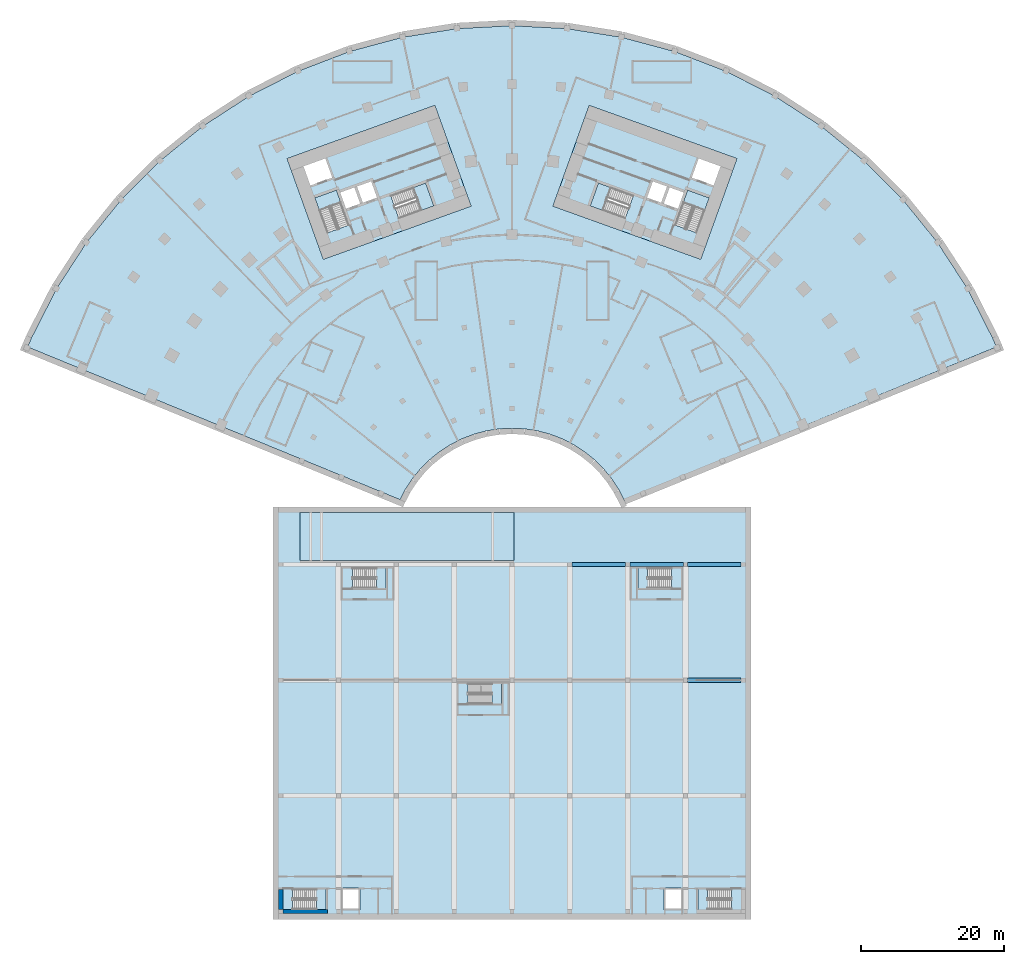
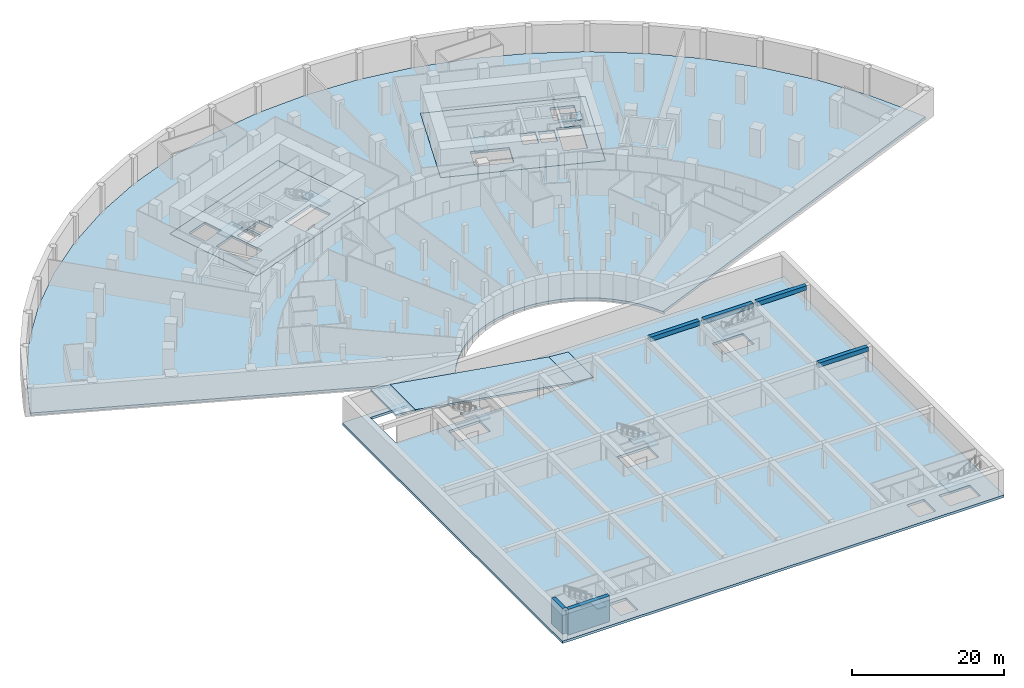
# One storey, part 2 of 21: 16 slabs, 4 beams, 2 walls, 9 elements without a shape of their own.
"""IFC4 building model written with IfcOpenShell, lengths in metres."""

from ifc_helpers import new_model, si_unit, direction, frame, frame_2d, origin, origin_2d, place, context, subcontext, project, spatial, polyline, rectangle, outline, extrude, material, layer, layer_set, material_profile, profile_set, type_object, element, aggregate, save


model = new_model("IFC4")

# Units and contexts
model_context = context("Model", 3, precision=1e-05, world=origin(), true_north=direction((0.0, 1.0)))
body_context = subcontext(model_context, "Body", "Model", "MODEL_VIEW")
ifc_project = project(units=[si_unit("LENGTHUNIT", "METRE"), si_unit("AREAUNIT", "SQUARE_METRE"), si_unit("VOLUMEUNIT", "CUBIC_METRE"), si_unit("PLANEANGLEUNIT", "RADIAN"), si_unit("MASSUNIT", "GRAM", prefix="KILO")], contexts=[model_context])

# Site, building, storey
site_placement = place(None, origin())
site = spatial("IfcSite", under=ifc_project, at=site_placement, CompositionType="ELEMENT")
building_placement = place(site_placement, origin())
building = spatial("IfcBuilding", under=site, at=building_placement, Name="Stone Belt Terrace Tower", CompositionType="ELEMENT")
storey_placement = place(building_placement, frame((0.0, 0.0, -9.0)))
storey = spatial("IfcBuildingStorey", under=building, at=storey_placement, Name="B2", CompositionType="ELEMENT", Elevation=-9.0)

# Beams
ifc_material_1 = material(Name="Concrete B40", Category="concrete")
ifc_material_profile = material_profile(ifc_material_1, rectangle(XDim=0.60009765625, YDim=0.699951171875, at=origin_2d()), Name="Car park tie beam 600 x 700")
ifc_profile_set = profile_set([ifc_material_profile], Name="Concrete B40")
beam_type = type_object("IfcBeamType", Name="Car park tie beam 600 x 700", PredefinedType="BEAM", material=ifc_profile_set)
for number, where, z_axis, x_axis, name in (
    (1, (24.60009765625, -18.0, 3.75), (1.0, 0.0, 0.0), (0.0, 1.0, 0.0), "Car park tie beam 8E-9"),
    (2, (8.39990234375, -1.800048828125, 3.75), (1.0, 0.0, 0.0), (0.0, 1.0, 0.0), "Car park tie beam 6G-7"),
    (3, (16.5, -1.800048828125, 3.75), (1.0, 0.0, 0.0), (0.0, 1.0, 0.0), "Car park tie beam 7G-8"),
    (4, (24.60009765625, -1.800048828125, 3.75), (1.0, 0.0, 0.0), (0.0, 1.0, 0.0), "Car park tie beam 8G-9"),
):
    element("IfcBeam", number, at=place(storey_placement, frame(where, z_axis=z_axis, x_axis=x_axis)), inside=storey, type_object=beam_type, Name=name, PredefinedType="BEAM", context=body_context, shape_type="SweptSolid", body=[
        extrude(rectangle(XDim=0.60009765625, YDim=0.699951171875, at=origin_2d()), origin(), (0.0, 0.0, 1.0), 7.5),
    ])

# Slabs
ifc_layer_1 = layer(ifc_material_1, 0.39990234375)
ifc_layer_set_1 = layer_set([ifc_layer_1], Name="Car park floor slab 400")
slab_type_1 = type_object("IfcSlabType", Name="Car park floor slab 400", PredefinedType="FLOOR", material=ifc_layer_set_1)
slab_1_placement = place(storey_placement, frame((0.0, 0.0, -0.39990234375)))
element("IfcSlab", 5, at=slab_1_placement, inside=storey, type_object=slab_type_1, Name="Car park floor B2", PredefinedType="FLOOR", context=body_context, shape_type="SweptSolid", body=[
    extrude(outline(polyline([(-33.5, -51.5), (33.5, -51.5), (33.5, 6.300048828125), (-33.5, 6.300048828125), (-33.5, -51.5)]), holes=[polyline([(0.300048828125, -1.199951171875), (0.300048828125, 5.5), (-29.699951171875, 5.5), (-29.699951171875, -1.199951171875), (0.300048828125, -1.199951171875)]), polyline([(-30.7470703125, -47.302978515625), (-30.7470703125, -50.096923828125), (-26.04296875, -50.096923828125), (-26.04296875, -47.302978515625), (-30.7470703125, -47.302978515625)]), polyline([(26.04296875, -50.096923828125), (30.7470703125, -50.096923828125), (30.7470703125, -47.302978515625), (26.04296875, -47.302978515625), (26.04296875, -50.096923828125)]), polyline([(-17.64306640625, -5.096923828125), (-17.64306640625, -2.302978515625), (-22.346923828125, -2.302978515625), (-22.346923828125, -5.096923828125), (-17.64306640625, -5.096923828125)]), polyline([(22.346923828125, -2.302978515625), (17.64306640625, -2.302978515625), (17.64306640625, -5.096923828125), (22.346923828125, -5.096923828125), (22.346923828125, -2.302978515625)]), polyline([(-6.14697265625, -18.5029296875), (-6.14697265625, -21.297119140625), (-1.443115234375, -21.297119140625), (-1.443115234375, -18.5029296875), (-6.14697265625, -18.5029296875)]), polyline([(-23.89990234375, -47.10009765625), (-23.89990234375, -50.199951171875), (-21.300048828125, -50.199951171875), (-21.300048828125, -47.10009765625), (-23.89990234375, -47.10009765625)]), polyline([(23.89990234375, -47.10009765625), (21.300048828125, -47.10009765625), (21.300048828125, -50.199951171875), (23.89990234375, -50.199951171875), (23.89990234375, -47.10009765625)])]), origin(), (0.0, 0.0, 1.0), 0.39990234375),
])
ifc_layer_2 = layer(ifc_material_1, 0.300048828125)
ifc_layer_set_2 = layer_set([ifc_layer_2], Name="Car park ramp slab 300 B40")
slab_type_2 = type_object("IfcSlabType", Name="Car park ramp slab 300 B40", PredefinedType="FLOOR", material=ifc_layer_set_2)
slab_2_placement = place(storey_placement, frame((-29.699951171875, -1.199951171875, 4.199951171875), z_axis=(0.0, -1.0, 0.0), x_axis=(0.996545758245, 0.0, -0.083045479854)))
element("IfcSlab", 6, at=slab_2_placement, inside=storey, type_object=slab_type_2, Name="Car park ramp R1 B1 to B2 flight 1", PredefinedType="FLOOR", context=body_context, shape_type="SweptSolid", body=[
    extrude(outline(polyline([(0.0, 0.0), (3.010398644698074, 2.7755575615628914e-17), (2.985480945786881, 0.29901238693431575), (-0.02491769891119298, 0.2990123869343157), (0.0, 0.0)])), origin(), (0.0, 0.0, -1.0), 6.699951171875),
])
slab_3_placement = place(storey_placement, frame((-26.699951171875, -1.199951171875, 3.949951171875), z_axis=(0.0, -1.0, 0.0), x_axis=(0.986393923832, 0.0, -0.164398987305)))
element("IfcSlab", 7, at=slab_3_placement, inside=storey, type_object=slab_type_2, Name="Car park ramp R1 B1 to B2 flight 2", PredefinedType="FLOOR", context=body_context, shape_type="SweptSolid", body=[
    extrude(outline(polyline([(0.0, 0.0), (24.33105012119288, 0.0), (24.28172239770697, 0.2959663409154554), (-0.049327723485909206, 0.29596634091545526), (0.0, 0.0)])), origin(), (0.0, 0.0, -1.0), 6.699951171875),
])
slab_4_placement = place(storey_placement, frame((-2.699951171875, -1.199951171875, -0.050048828125), z_axis=(0.0, -1.0, 0.0), x_axis=(0.996545758245, 0.0, -0.083045479854)))
element("IfcSlab", 8, at=slab_4_placement, inside=storey, type_object=slab_type_2, Name="Car park ramp R1 B1 to B2 flight 3", PredefinedType="FLOOR", context=body_context, shape_type="SweptSolid", body=[
    extrude(outline(polyline([(0.0, 0.0), (3.010398644698074, 2.7755575615628914e-17), (2.985480945786881, 0.29901238693431575), (-0.02491769891119298, 0.2990123869343157), (0.0, 0.0)])), origin(), (0.0, 0.0, -1.0), 6.699951171875),
])

# Stair, slab
ifc_material_2 = material(Name="Concrete B30", Category="concrete")
stair_type_1 = type_object("IfcStairType", Name="Car park stair 1200", PredefinedType="HALF_TURN_STAIR", material=ifc_material_2)
stair_1_placement = place(storey_placement, origin())
stair_1 = element("IfcStair", 9, at=stair_1_placement, inside=storey, type_object=stair_type_1, Name="B2 Car park stair 1", PredefinedType="HALF_TURN_STAIR")
ifc_layer_3 = layer(ifc_material_2, 0.199951171875)
ifc_layer_set_3 = layer_set([ifc_layer_3], Name="Car park stair landing 200")
slab_type_3 = type_object("IfcSlabType", Name="Car park stair landing 200", PredefinedType="LANDING", material=ifc_layer_set_3)
slab_5_placement = place(storey_placement, frame((0.0, 0.0, 2.050048828125)))
slab_5 = element("IfcSlab", 10, at=slab_5_placement, type_object=slab_type_3, Name="CS1 landing 1", PredefinedType="LANDING", context=body_context, shape_type="SweptSolid", body=[
    extrude(outline(polyline([(-27.409912109375, -50.199951171875), (-26.0400390625, -50.199951171875), (-26.0400390625, -47.199951171875), (-27.409912109375, -47.199951171875), (-27.409912109375, -47.300048828125), (-28.989990234375, -47.300048828125), (-28.989990234375, -48.64990234375), (-27.409912109375, -48.64990234375), (-27.409912109375, -50.199951171875)])), origin(), (0.0, 0.0, 1.0), 0.199951171875),
])
aggregate(stair_1, [slab_5])

stair_2_placement = place(storey_placement, origin())
stair_2 = element("IfcStair", 11, at=stair_2_placement, inside=storey, type_object=stair_type_1, Name="B2 Car park stair 2", PredefinedType="HALF_TURN_STAIR")
slab_6_placement = place(storey_placement, frame((0.0, 0.0, 2.050048828125)))
slab_6 = element("IfcSlab", 12, at=slab_6_placement, type_object=slab_type_3, Name="CS2 landing 1", PredefinedType="LANDING", context=body_context, shape_type="SweptSolid", body=[
    extrude(outline(polyline([(26.0400390625, -50.199951171875), (27.409912109375, -50.199951171875), (27.409912109375, -50.10009765625), (28.989990234375, -50.10009765625), (28.989990234375, -48.75), (27.409912109375, -48.75), (27.409912109375, -47.199951171875), (26.0400390625, -47.199951171875), (26.0400390625, -50.199951171875)])), origin(), (0.0, 0.0, 1.0), 0.199951171875),
])
aggregate(stair_2, [slab_6])

stair_3_placement = place(storey_placement, origin())
stair_3 = element("IfcStair", 13, at=stair_3_placement, inside=storey, type_object=stair_type_1, Name="B2 Car park stair 3", PredefinedType="HALF_TURN_STAIR")
slab_7_placement = place(storey_placement, frame((0.0, 0.0, 2.050048828125)))
slab_7 = element("IfcSlab", 14, at=slab_7_placement, type_object=slab_type_3, Name="CS3 landing 1", PredefinedType="LANDING", context=body_context, shape_type="SweptSolid", body=[
    extrude(outline(polyline([(-19.010009765625, -5.199951171875), (-17.639892578125, -5.199951171875), (-17.639892578125, -2.199951171875), (-19.010009765625, -2.199951171875), (-19.010009765625, -2.300048828125), (-20.590087890625, -2.300048828125), (-20.590087890625, -3.64990234375), (-19.010009765625, -3.64990234375), (-19.010009765625, -5.199951171875)])), origin(), (0.0, 0.0, 1.0), 0.199951171875),
])
aggregate(stair_3, [slab_7])

stair_4_placement = place(storey_placement, origin())
stair_4 = element("IfcStair", 15, at=stair_4_placement, inside=storey, type_object=stair_type_1, Name="B2 Car park stair 4", PredefinedType="HALF_TURN_STAIR")
slab_8_placement = place(storey_placement, frame((0.0, 0.0, 2.050048828125)))
slab_8 = element("IfcSlab", 16, at=slab_8_placement, type_object=slab_type_3, Name="CS4 landing 1", PredefinedType="LANDING", context=body_context, shape_type="SweptSolid", body=[
    extrude(outline(polyline([(17.639892578125, -5.199951171875), (19.010009765625, -5.199951171875), (19.010009765625, -5.10009765625), (20.590087890625, -5.10009765625), (20.590087890625, -3.75), (19.010009765625, -3.75), (19.010009765625, -2.199951171875), (17.639892578125, -2.199951171875), (17.639892578125, -5.199951171875)])), origin(), (0.0, 0.0, 1.0), 0.199951171875),
])
aggregate(stair_4, [slab_8])

stair_5_placement = place(storey_placement, origin())
stair_5 = element("IfcStair", 17, at=stair_5_placement, inside=storey, type_object=stair_type_1, Name="B2 Car park stair 5", PredefinedType="HALF_TURN_STAIR")
slab_9_placement = place(storey_placement, frame((0.0, 0.0, 2.050048828125)))
slab_9 = element("IfcSlab", 18, at=slab_9_placement, type_object=slab_type_3, Name="CS5 landing 1", PredefinedType="LANDING", context=body_context, shape_type="SweptSolid", body=[
    extrude(outline(polyline([(-2.81005859375, -21.39990234375), (-1.43994140625, -21.39990234375), (-1.43994140625, -18.39990234375), (-2.81005859375, -18.39990234375), (-2.81005859375, -18.5), (-4.389892578125, -18.5), (-4.389892578125, -19.85009765625), (-2.81005859375, -19.85009765625), (-2.81005859375, -21.39990234375)])), origin(), (0.0, 0.0, 1.0), 0.199951171875),
])
aggregate(stair_5, [slab_9])

# Slabs
ifc_layer_4 = layer(ifc_material_1, 0.39990234375)
ifc_layer_set_4 = layer_set([ifc_layer_4], Name="Core floor slab 400")
slab_type_4 = type_object("IfcSlabType", Name="Core floor slab 400", PredefinedType="FLOOR", material=ifc_layer_set_4)
slab_10_placement = place(storey_placement, frame((0.0, 0.0, -0.39990234375)))
element("IfcSlab", 19, at=slab_10_placement, inside=storey, type_object=slab_type_4, Name="Core A floor B2", PredefinedType="FLOOR", context=body_context, shape_type="SweptSolid", body=[
    extrude(outline(polyline([(-26.43505859375, 40.968994140625), (-5.735107421875, 48.4189453125), (-10.81396484375, 62.531982421875), (-31.513916015625, 55.0830078125), (-26.43505859375, 40.968994140625)]), holes=[polyline([(-27.618896484375, 49.575927734375), (-24.60791015625, 50.659912109375), (-22.847900390625, 45.76806640625), (-25.85888671875, 44.68408203125), (-27.618896484375, 49.575927734375)]), polyline([(-12.10595703125, 51.652099609375), (-10.955078125, 48.452880859375), (-15.846923828125, 46.69189453125), (-16.998046875, 49.89208984375), (-12.10595703125, 51.652099609375)]), polyline([(-21.27392578125, 48.778076171875), (-23.25, 48.06689453125), (-24.06298828125, 50.324951171875), (-22.0869140625, 51.035888671875), (-21.27392578125, 48.778076171875)]), polyline([(-20.89794921875, 48.9130859375), (-21.7109375, 51.1708984375), (-19.735107421875, 51.883056640625), (-18.922119140625, 49.6240234375), (-20.89794921875, 48.9130859375)]), polyline([(-28.24609375, 51.31689453125), (-29.2109375, 53.9990234375), (-26.153076171875, 55.09912109375), (-25.18798828125, 52.41796875), (-28.24609375, 51.31689453125)])]), origin(), (0.0, 0.0, 1.0), 0.39990234375),
])
slab_11_placement = place(storey_placement, frame((0.0, 0.0, -0.39990234375)))
element("IfcSlab", 20, at=slab_11_placement, inside=storey, type_object=slab_type_4, Name="Core B floor B2", PredefinedType="FLOOR", context=body_context, shape_type="SweptSolid", body=[
    extrude(outline(polyline([(26.43505859375, 40.968994140625), (31.513916015625, 55.0830078125), (10.81396484375, 62.531982421875), (5.735107421875, 48.4189453125), (26.43505859375, 40.968994140625)]), holes=[polyline([(24.60791015625, 50.659912109375), (27.618896484375, 49.575927734375), (25.85888671875, 44.68408203125), (22.847900390625, 45.76806640625), (24.60791015625, 50.659912109375)]), polyline([(10.955078125, 48.452880859375), (12.10595703125, 51.652099609375), (16.998046875, 49.89208984375), (15.846923828125, 46.69189453125), (10.955078125, 48.452880859375)]), polyline([(21.27392578125, 48.778076171875), (22.0869140625, 51.035888671875), (24.06298828125, 50.324951171875), (23.25, 48.06689453125), (21.27392578125, 48.778076171875)]), polyline([(19.735107421875, 51.883056640625), (21.7109375, 51.1708984375), (20.89794921875, 48.9130859375), (18.922119140625, 49.6240234375), (19.735107421875, 51.883056640625)]), polyline([(26.153076171875, 55.09912109375), (29.2109375, 53.9990234375), (28.24609375, 51.31689453125), (25.18798828125, 52.41796875), (26.153076171875, 55.09912109375)])]), origin(), (0.0, 0.0, 1.0), 0.39990234375),
])
ifc_layer_5 = layer(ifc_material_2, 0.39990234375)
ifc_layer_set_5 = layer_set([ifc_layer_5], Name="Floor slab 400 B30")
slab_type_5 = type_object("IfcSlabType", Name="Floor slab 400 B30", PredefinedType="FLOOR", material=ifc_layer_set_5)
slab_12_placement = place(storey_placement, frame((0.0, 0.0, -0.39990234375)))
element("IfcSlab", 21, at=slab_12_placement, inside=storey, type_object=slab_type_5, Name="Floor slab B2", PredefinedType="FLOOR", context=body_context, shape_type="SweptSolid", body=[
    extrude(outline(polyline([(-67.333984375, 29.962646484375), (-63.8251953125, 36.849609375), (-59.623779296875, 43.319091796875), (-54.76904296875, 49.314208984375), (-49.314208984375, 54.76904296875), (-43.319091796875, 59.623779296875), (-36.849609375, 63.8251953125), (-29.97607421875, 67.327392578125), (-22.774169921875, 70.091796875), (-15.322998046875, 72.08837890625), (-7.70361328125, 73.295166015625), (0.0, 73.698974609375), (7.70361328125, 73.295166015625), (15.322998046875, 72.08837890625), (22.774169921875, 70.091796875), (29.97607421875, 67.327392578125), (36.849609375, 63.8251953125), (43.319091796875, 59.623779296875), (49.314208984375, 54.76904296875), (54.76904296875, 49.314208984375), (59.623779296875, 43.319091796875), (63.8251953125, 36.849609375), (67.333984375, 29.962646484375), (67.8798828125, 28.685791015625), (15.693359375, 7.296630859375), (15.798583984375, 7.05029296875), (14.983154296875, 8.650390625), (13.996826171875, 10.169189453125), (12.857177734375, 11.57666015625), (11.57666015625, 12.857177734375), (10.169189453125, 13.996826171875), (8.650390625, 14.983154296875), (7.037109375, 15.805419921875), (5.34619140625, 16.454345703125), (3.59716796875, 16.923095703125), (1.80859375, 17.206298828125), (0.0, 17.301025390625), (-1.80859375, 17.206298828125), (-3.59716796875, 16.923095703125), (-5.34619140625, 16.454345703125), (-7.037109375, 15.805419921875), (-8.650390625, 14.983154296875), (-10.169189453125, 13.996826171875), (-11.57666015625, 12.857177734375), (-12.857177734375, 11.57666015625), (-13.996826171875, 10.169189453125), (-14.983154296875, 8.650390625), (-15.798583984375, 7.05029296875), (-15.693359375, 7.296630859375), (-67.8798828125, 28.685791015625), (-67.333984375, 29.962646484375)]), holes=[polyline([(-10.81396484375, 62.532470703125), (-31.51416015625, 55.082763671875), (-26.434814453125, 40.968994140625), (-5.734619140625, 48.418701171875), (-10.81396484375, 62.532470703125)]), polyline([(26.434814453125, 40.968994140625), (31.51416015625, 55.082763671875), (10.81396484375, 62.532470703125), (5.734619140625, 48.418701171875), (26.434814453125, 40.968994140625)])]), origin(), (0.0, 0.0, 1.0), 0.39990234375),
])

# Stair, slab
stair_type_2 = type_object("IfcStairType", Name="Exit stair 1500", PredefinedType="HALF_TURN_STAIR", material=ifc_material_1)
stair_6_placement = place(storey_placement, origin())
stair_6 = element("IfcStair", 22, at=stair_6_placement, inside=storey, type_object=stair_type_2, Name="B2 Exit stair 1 core A", PredefinedType="HALF_TURN_STAIR")
ifc_layer_6 = layer(ifc_material_1, 0.199951171875)
ifc_layer_set_6 = layer_set([ifc_layer_6], Name="Stair landing 200")
slab_type_6 = type_object("IfcSlabType", Name="Stair landing 200", PredefinedType="LANDING", material=ifc_layer_set_6)
slab_13_placement = place(storey_placement, frame((0.0, 0.0, 2.050048828125)))
slab_13 = element("IfcSlab", 23, at=slab_13_placement, type_object=slab_type_6, Name="ST1A landing 1", PredefinedType="LANDING", context=body_context, shape_type="SweptSolid", body=[
    extrude(outline(polyline([(-23.985107421875, 48.927734375), (-24.6083984375, 50.659912109375), (-27.619384765625, 49.576171875), (-26.99609375, 47.84423828125), (-23.985107421875, 48.927734375)])), origin(), (0.0, 0.0, 1.0), 0.199951171875),
])
aggregate(stair_6, [slab_13])

stair_7_placement = place(storey_placement, origin())
stair_7 = element("IfcStair", 24, at=stair_7_placement, inside=storey, type_object=stair_type_2, Name="B2 Exit stair 2 core A", PredefinedType="HALF_TURN_STAIR")
slab_14_placement = place(storey_placement, frame((0.0, 0.0, 2.050048828125)))
slab_14 = element("IfcSlab", 25, at=slab_14_placement, type_object=slab_type_6, Name="ST2A landing 1", PredefinedType="LANDING", context=body_context, shape_type="SweptSolid", body=[
    extrude(outline(polyline([(-12.6865234375, 47.82958984375), (-10.95458984375, 48.453125), (-12.10595703125, 51.652099609375), (-13.837890625, 51.02880859375), (-12.6865234375, 47.82958984375)])), origin(), (0.0, 0.0, 1.0), 0.199951171875),
])
aggregate(stair_7, [slab_14])

stair_8_placement = place(storey_placement, origin())
stair_8 = element("IfcStair", 26, at=stair_8_placement, inside=storey, type_object=stair_type_2, Name="B2 Exit stair 1 core B", PredefinedType="HALF_TURN_STAIR")
slab_15_placement = place(storey_placement, frame((0.0, 0.0, 2.050048828125)))
slab_15 = element("IfcSlab", 27, at=slab_15_placement, type_object=slab_type_6, Name="ST1B landing 1", PredefinedType="LANDING", context=body_context, shape_type="SweptSolid", body=[
    extrude(outline(polyline([(26.99609375, 47.84423828125), (27.619384765625, 49.576171875), (24.6083984375, 50.659912109375), (23.985107421875, 48.927734375), (26.99609375, 47.84423828125)])), origin(), (0.0, 0.0, 1.0), 0.199951171875),
])
aggregate(stair_8, [slab_15])

stair_9_placement = place(storey_placement, origin())
stair_9 = element("IfcStair", 28, at=stair_9_placement, inside=storey, type_object=stair_type_2, Name="B2 Exit stair 2 core B", PredefinedType="HALF_TURN_STAIR")
slab_16_placement = place(storey_placement, frame((0.0, 0.0, 2.050048828125)))
slab_16 = element("IfcSlab", 29, at=slab_16_placement, type_object=slab_type_6, Name="ST2B landing 1", PredefinedType="LANDING", context=body_context, shape_type="SweptSolid", body=[
    extrude(outline(polyline([(13.837890625, 51.02880859375), (12.10595703125, 51.652099609375), (10.95458984375, 48.453125), (12.6865234375, 47.82958984375), (13.837890625, 51.02880859375)])), origin(), (0.0, 0.0, 1.0), 0.199951171875),
])
aggregate(stair_9, [slab_16])

# Walls
ifc_layer_7 = layer(ifc_material_2, 0.60009765625)
ifc_layer_set_7 = layer_set([ifc_layer_7], Name="Car park stair wall 600")
wall_type = type_object("IfcWallType", Name="Car park stair wall 600", PredefinedType="SOLIDWALL", material=ifc_layer_set_7)
wall_1_placement = place(storey_placement, frame((-32.10009765625, -50.39990234375, 0.0), z_axis=(0.0, 0.0, 1.0), x_axis=(1.0, 0.0, 0.0)))
element("IfcWall", 30, at=wall_1_placement, inside=storey, type_object=wall_type, Name="Car park stair 1 wall", PredefinedType="SOLIDWALL", context=body_context, shape_type="SweptSolid", body=[
    extrude(rectangle(XDim=6.260009765625, YDim=0.60009765625, at=frame_2d((3.1298828125, 0.0))), origin(), (0.0, 0.0, 1.0), 4.10009765625),
])
wall_2_placement = place(storey_placement, frame((-32.39990234375, -50.10009765625, 0.0), z_axis=(0.0, 0.0, 1.0), x_axis=(0.0, 1.0, 0.0)))
element("IfcWall", 31, at=wall_2_placement, inside=storey, type_object=wall_type, Name="Car park stair 1 wall", PredefinedType="SOLIDWALL", context=body_context, shape_type="SweptSolid", body=[
    extrude(rectangle(XDim=2.800048828125, YDim=0.60009765625, at=frame_2d((1.39990234375, 0.0))), origin(), (0.0, 0.0, 1.0), 4.10009765625),
])

save(model, "model.ifc")
